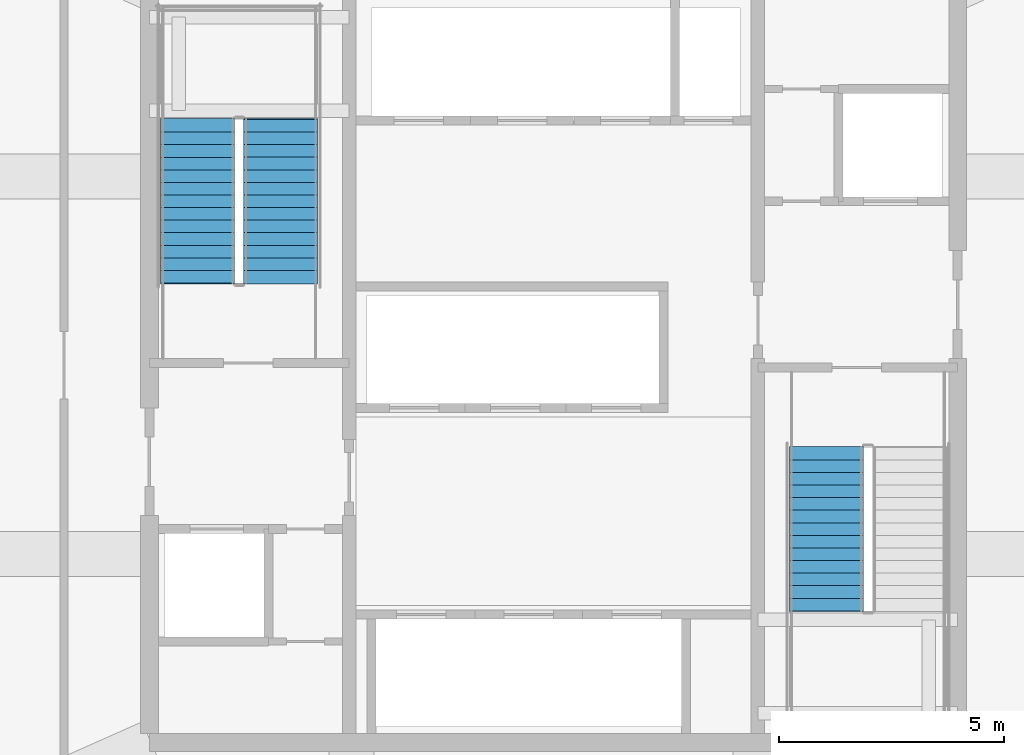
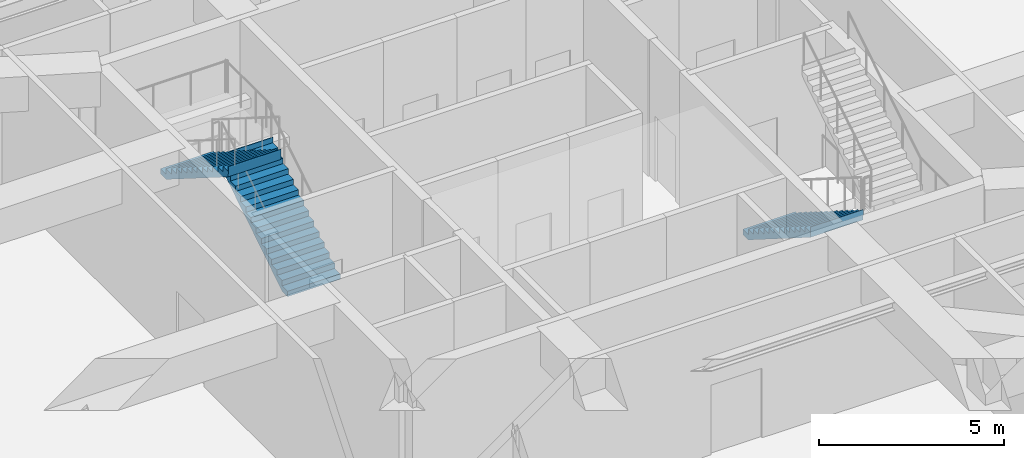
# One storey, part 31 of 35: 3 stair flights, 2 elements without a shape of their own.
"""IFC4 building model written with IfcOpenShell, lengths in metres."""

from ifc_helpers import new_model, si_unit, direction, frame, origin, place, context, subcontext, project, spatial, polygons, material, type_object, element, aggregate, save


model = new_model("IFC4")

# Units and contexts
model_context = context("Model", 3, precision=1e-05, world=origin(), true_north=direction((0.0, 1.0)))
body_context = subcontext(model_context, "Body", "Model", "MODEL_VIEW")
ifc_project = project(units=[si_unit("LENGTHUNIT", "METRE"), si_unit("AREAUNIT", "SQUARE_METRE"), si_unit("VOLUMEUNIT", "CUBIC_METRE"), si_unit("PLANEANGLEUNIT", "RADIAN"), si_unit("MASSUNIT", "GRAM", prefix="KILO")], contexts=[model_context])

# Site, building, storey
site_placement = place(None, origin())
site = spatial("IfcSite", under=ifc_project, at=site_placement, CompositionType="ELEMENT")
building_placement = place(site_placement, origin())
building = spatial("IfcBuilding", under=site, at=building_placement, Name="Serunith Strait Residences", CompositionType="ELEMENT")
storey_placement = place(building_placement, frame((0.0, 0.0, 115.199951171875)))
storey = spatial("IfcBuildingStorey", under=building, at=storey_placement, Name="L28", CompositionType="ELEMENT", Elevation=115.199951171875)

# Stair, stair flights
ifc_material = material(Name="Concrete C50/60", Category="concrete")
stair_type_1 = type_object("IfcStairType", Name="STR-CORE-1", PredefinedType="HALF_TURN_STAIR", material=ifc_material)
stair_1_placement = place(storey_placement, origin())
stair_1 = element("IfcStair", 1, at=stair_1_placement, inside=storey, type_object=stair_type_1, Name="L28 Protected Escape Stair ST-1", PredefinedType="HALF_TURN_STAIR")
stair_flight_type_1 = type_object("IfcStairFlightType", Name="FLT-CORE-1", PredefinedType="STRAIGHT", material=ifc_material)
stair_flight_1_placement = place(storey_placement, frame((26.324951171875, 27.030029296875, 0.0), z_axis=(0.0, 0.0, 1.0), x_axis=(0.0, 1.0, 0.0)))
stair_flight_1 = element("IfcStairFlight", 2, at=stair_flight_1_placement, type_object=stair_flight_type_1, Name="ST-1 flight 1", NumberOfRisers=14, NumberOfTreads=13, PredefinedType="STRAIGHT", RiserHeight=0.176785714, TreadLength=0.28, context=body_context, shape_type="Tessellation", body=[
    polygons([(-0.02001953125, -0.824951171875, 0.0), (-0.02001953125, -0.824951171875, 0.1767578125), (0.280029296875, -0.824951171875, 0.1767578125), (0.280029296875, -0.824951171875, 0.353515625), (0.56005859375, -0.824951171875, 0.353515625), (0.56005859375, -0.824951171875, 0.5302734375), (0.840087890625, -0.824951171875, 0.5302734375), (0.840087890625, -0.824951171875, 0.70703125), (1.1201171875, -0.824951171875, 0.70703125), (1.1201171875, -0.824951171875, 0.884033203125), (1.39990234375, -0.824951171875, 0.884033203125), (1.39990234375, -0.824951171875, 1.060791015625), (1.679931640625, -0.824951171875, 1.060791015625), (1.679931640625, -0.824951171875, 1.237548828125), (1.9599609375, -0.824951171875, 1.237548828125), (1.9599609375, -0.824951171875, 1.414306640625), (2.239990234375, -0.824951171875, 1.414306640625), (2.239990234375, -0.824951171875, 1.591064453125), (2.52001953125, -0.824951171875, 1.591064453125), (2.52001953125, -0.824951171875, 1.767822265625), (2.800048828125, -0.824951171875, 1.767822265625), (2.800048828125, -0.824951171875, 1.944580078125), (3.080078125, -0.824951171875, 1.944580078125), (3.080078125, -0.824951171875, 2.121337890625), (3.360107421875, -0.824951171875, 2.121337890625), (3.360107421875, -0.824951171875, 2.298095703125), (3.639892578125, -0.824951171875, 2.298095703125), (3.639892578125, -0.824951171875, 2.47509765625), (3.659912109375, -0.824951171875, 2.47509765625), (3.659912109375, -0.824951171875, 2.4150390625), (3.639892578125, -0.824951171875, 2.120849609375), (0.28076171875, -0.824951171875, 0.0), (-0.02001953125, -0.41259765625, 0.0), (-0.02001953125, -0.41259765625, 0.1767578125), (0.280029296875, -0.41259765625, 0.1767578125), (0.280029296875, -0.41259765625, 0.353515625), (0.56005859375, -0.41259765625, 0.353515625), (0.56005859375, -0.41259765625, 0.5302734375), (0.840087890625, -0.41259765625, 0.5302734375), (0.840087890625, -0.41259765625, 0.70703125), (1.1201171875, -0.41259765625, 0.70703125), (1.1201171875, -0.41259765625, 0.884033203125), (1.39990234375, -0.41259765625, 0.884033203125), (1.39990234375, -0.41259765625, 1.060791015625), (1.679931640625, -0.41259765625, 1.060791015625), (1.679931640625, -0.41259765625, 1.237548828125), (1.9599609375, -0.41259765625, 1.237548828125), (1.9599609375, -0.41259765625, 1.414306640625), (2.239990234375, -0.41259765625, 1.414306640625), (2.239990234375, -0.41259765625, 1.591064453125), (2.52001953125, -0.41259765625, 1.591064453125), (2.52001953125, -0.41259765625, 1.767822265625), (2.800048828125, -0.41259765625, 1.767822265625), (2.800048828125, -0.41259765625, 1.944580078125), (3.080078125, -0.41259765625, 1.944580078125), (3.080078125, -0.41259765625, 2.121337890625), (3.360107421875, -0.41259765625, 2.121337890625), (3.360107421875, -0.41259765625, 2.298095703125), (3.639892578125, -0.41259765625, 2.298095703125), (3.639892578125, -0.41259765625, 2.47509765625), (3.659912109375, -0.41259765625, 2.47509765625), (3.659912109375, -0.41259765625, 2.4150390625), (3.639892578125, -0.41259765625, 2.120849609375), (0.28076171875, -0.41259765625, 0.0), (-0.02001953125, 0.0, 0.0), (-0.02001953125, 0.0, 0.1767578125), (0.280029296875, 0.0, 0.1767578125), (0.280029296875, 0.0, 0.353515625), (0.56005859375, 0.0, 0.353515625), (0.56005859375, 0.0, 0.5302734375), (0.840087890625, 0.0, 0.5302734375), (0.840087890625, 0.0, 0.70703125), (1.1201171875, 0.0, 0.70703125), (1.1201171875, 0.0, 0.884033203125), (1.39990234375, 0.0, 0.884033203125), (1.39990234375, 0.0, 1.060791015625), (1.679931640625, 0.0, 1.060791015625), (1.679931640625, 0.0, 1.237548828125), (1.9599609375, 0.0, 1.237548828125), (1.9599609375, 0.0, 1.414306640625), (2.239990234375, 0.0, 1.414306640625), (2.239990234375, 0.0, 1.591064453125), (2.52001953125, 0.0, 1.591064453125), (2.52001953125, 0.0, 1.767822265625), (2.800048828125, 0.0, 1.767822265625), (2.800048828125, 0.0, 1.944580078125), (3.080078125, 0.0, 1.944580078125), (3.080078125, 0.0, 2.121337890625), (3.360107421875, 0.0, 2.121337890625), (3.360107421875, 0.0, 2.298095703125), (3.639892578125, 0.0, 2.298095703125), (3.639892578125, 0.0, 2.47509765625), (3.659912109375, 0.0, 2.47509765625), (3.659912109375, 0.0, 2.4150390625), (3.639892578125, 0.0, 2.120849609375), (0.28076171875, 0.0, 0.0), (-0.02001953125, 0.41259765625, 0.0), (-0.02001953125, 0.41259765625, 0.1767578125), (0.280029296875, 0.41259765625, 0.1767578125), (0.280029296875, 0.41259765625, 0.353515625), (0.56005859375, 0.41259765625, 0.353515625), (0.56005859375, 0.41259765625, 0.5302734375), (0.840087890625, 0.41259765625, 0.5302734375), (0.840087890625, 0.41259765625, 0.70703125), (1.1201171875, 0.41259765625, 0.70703125), (1.1201171875, 0.41259765625, 0.884033203125), (1.39990234375, 0.41259765625, 0.884033203125), (1.39990234375, 0.41259765625, 1.060791015625), (1.679931640625, 0.41259765625, 1.060791015625), (1.679931640625, 0.41259765625, 1.237548828125), (1.9599609375, 0.41259765625, 1.237548828125), (1.9599609375, 0.41259765625, 1.414306640625), (2.239990234375, 0.41259765625, 1.414306640625), (2.239990234375, 0.41259765625, 1.591064453125), (2.52001953125, 0.41259765625, 1.591064453125), (2.52001953125, 0.41259765625, 1.767822265625), (2.800048828125, 0.41259765625, 1.767822265625), (2.800048828125, 0.41259765625, 1.944580078125), (3.080078125, 0.41259765625, 1.944580078125), (3.080078125, 0.41259765625, 2.121337890625), (3.360107421875, 0.41259765625, 2.121337890625), (3.360107421875, 0.41259765625, 2.298095703125), (3.639892578125, 0.41259765625, 2.298095703125), (3.639892578125, 0.41259765625, 2.47509765625), (3.659912109375, 0.41259765625, 2.47509765625), (3.659912109375, 0.41259765625, 2.4150390625), (3.639892578125, 0.41259765625, 2.120849609375), (0.28076171875, 0.41259765625, 0.0), (-0.02001953125, 0.824951171875, 0.0), (-0.02001953125, 0.824951171875, 0.1767578125), (0.280029296875, 0.824951171875, 0.1767578125), (0.280029296875, 0.824951171875, 0.353515625), (0.56005859375, 0.824951171875, 0.353515625), (0.56005859375, 0.824951171875, 0.5302734375), (0.840087890625, 0.824951171875, 0.5302734375), (0.840087890625, 0.824951171875, 0.70703125), (1.1201171875, 0.824951171875, 0.70703125), (1.1201171875, 0.824951171875, 0.884033203125), (1.39990234375, 0.824951171875, 0.884033203125), (1.39990234375, 0.824951171875, 1.060791015625), (1.679931640625, 0.824951171875, 1.060791015625), (1.679931640625, 0.824951171875, 1.237548828125), (1.9599609375, 0.824951171875, 1.237548828125), (1.9599609375, 0.824951171875, 1.414306640625), (2.239990234375, 0.824951171875, 1.414306640625), (2.239990234375, 0.824951171875, 1.591064453125), (2.52001953125, 0.824951171875, 1.591064453125), (2.52001953125, 0.824951171875, 1.767822265625), (2.800048828125, 0.824951171875, 1.767822265625), (2.800048828125, 0.824951171875, 1.944580078125), (3.080078125, 0.824951171875, 1.944580078125), (3.080078125, 0.824951171875, 2.121337890625), (3.360107421875, 0.824951171875, 2.121337890625), (3.360107421875, 0.824951171875, 2.298095703125), (3.639892578125, 0.824951171875, 2.298095703125), (3.639892578125, 0.824951171875, 2.47509765625), (3.659912109375, 0.824951171875, 2.47509765625), (3.659912109375, 0.824951171875, 2.4150390625), (3.639892578125, 0.824951171875, 2.120849609375), (0.28076171875, 0.824951171875, 0.0)], [[[1, 2, 34, 33]], [[2, 3, 35, 34]], [[3, 4, 36, 35]], [[4, 5, 37, 36]], [[5, 6, 38, 37]], [[6, 7, 39, 38]], [[7, 8, 40, 39]], [[8, 9, 41, 40]], [[9, 10, 42, 41]], [[10, 11, 43, 42]], [[11, 12, 44, 43]], [[12, 13, 45, 44]], [[13, 14, 46, 45]], [[14, 15, 47, 46]], [[15, 16, 48, 47]], [[16, 17, 49, 48]], [[17, 18, 50, 49]], [[18, 19, 51, 50]], [[19, 20, 52, 51]], [[20, 21, 53, 52]], [[21, 22, 54, 53]], [[22, 23, 55, 54]], [[23, 24, 56, 55]], [[24, 25, 57, 56]], [[25, 26, 58, 57]], [[26, 27, 59, 58]], [[27, 28, 60, 59]], [[28, 29, 61, 60]], [[29, 30, 62, 61]], [[30, 31, 63, 62]], [[31, 32, 64, 63]], [[32, 1, 33, 64]], [[33, 34, 66, 65]], [[34, 35, 67, 66]], [[35, 36, 68, 67]], [[36, 37, 69, 68]], [[37, 38, 70, 69]], [[38, 39, 71, 70]], [[39, 40, 72, 71]], [[40, 41, 73, 72]], [[41, 42, 74, 73]], [[42, 43, 75, 74]], [[43, 44, 76, 75]], [[44, 45, 77, 76]], [[45, 46, 78, 77]], [[46, 47, 79, 78]], [[47, 48, 80, 79]], [[48, 49, 81, 80]], [[49, 50, 82, 81]], [[50, 51, 83, 82]], [[51, 52, 84, 83]], [[52, 53, 85, 84]], [[53, 54, 86, 85]], [[54, 55, 87, 86]], [[55, 56, 88, 87]], [[56, 57, 89, 88]], [[57, 58, 90, 89]], [[58, 59, 91, 90]], [[59, 60, 92, 91]], [[60, 61, 93, 92]], [[61, 62, 94, 93]], [[62, 63, 95, 94]], [[63, 64, 96, 95]], [[64, 33, 65, 96]], [[65, 66, 98, 97]], [[66, 67, 99, 98]], [[67, 68, 100, 99]], [[68, 69, 101, 100]], [[69, 70, 102, 101]], [[70, 71, 103, 102]], [[71, 72, 104, 103]], [[72, 73, 105, 104]], [[73, 74, 106, 105]], [[74, 75, 107, 106]], [[75, 76, 108, 107]], [[76, 77, 109, 108]], [[77, 78, 110, 109]], [[78, 79, 111, 110]], [[79, 80, 112, 111]], [[80, 81, 113, 112]], [[81, 82, 114, 113]], [[82, 83, 115, 114]], [[83, 84, 116, 115]], [[84, 85, 117, 116]], [[85, 86, 118, 117]], [[86, 87, 119, 118]], [[87, 88, 120, 119]], [[88, 89, 121, 120]], [[89, 90, 122, 121]], [[90, 91, 123, 122]], [[91, 92, 124, 123]], [[92, 93, 125, 124]], [[93, 94, 126, 125]], [[94, 95, 127, 126]], [[95, 96, 128, 127]], [[96, 65, 97, 128]], [[97, 98, 130, 129]], [[98, 99, 131, 130]], [[99, 100, 132, 131]], [[100, 101, 133, 132]], [[101, 102, 134, 133]], [[102, 103, 135, 134]], [[103, 104, 136, 135]], [[104, 105, 137, 136]], [[105, 106, 138, 137]], [[106, 107, 139, 138]], [[107, 108, 140, 139]], [[108, 109, 141, 140]], [[109, 110, 142, 141]], [[110, 111, 143, 142]], [[111, 112, 144, 143]], [[112, 113, 145, 144]], [[113, 114, 146, 145]], [[114, 115, 147, 146]], [[115, 116, 148, 147]], [[116, 117, 149, 148]], [[117, 118, 150, 149]], [[118, 119, 151, 150]], [[119, 120, 152, 151]], [[120, 121, 153, 152]], [[121, 122, 154, 153]], [[122, 123, 155, 154]], [[123, 124, 156, 155]], [[124, 125, 157, 156]], [[125, 126, 158, 157]], [[126, 127, 159, 158]], [[127, 128, 160, 159]], [[128, 97, 129, 160]], [[32, 31, 30, 29, 28, 27, 26, 25, 24, 23, 22, 21, 20, 19, 18, 17, 16, 15, 14, 13, 12, 11, 10, 9, 8, 7, 6, 5, 4, 3, 2, 1]], [[129, 130, 131, 132, 133, 134, 135, 136, 137, 138, 139, 140, 141, 142, 143, 144, 145, 146, 147, 148, 149, 150, 151, 152, 153, 154, 155, 156, 157, 158, 159, 160]]], closed=True),
])
stair_flight_2_placement = place(storey_placement, frame((24.47509765625, 30.669921875, 2.47509765625), z_axis=(0.0, 0.0, 1.0), x_axis=(0.0, -1.0, 0.0)))
stair_flight_2 = element("IfcStairFlight", 3, at=stair_flight_2_placement, type_object=stair_flight_type_1, Name="ST-1 flight 2", NumberOfRisers=14, NumberOfTreads=13, PredefinedType="STRAIGHT", RiserHeight=0.176785714, TreadLength=0.28, context=body_context, shape_type="Tessellation", body=[
    polygons([(-0.02001953125, -0.824951171875, 0.0), (-0.02001953125, -0.824951171875, 0.1767578125), (0.280029296875, -0.824951171875, 0.1767578125), (0.280029296875, -0.824951171875, 0.353515625), (0.56005859375, -0.824951171875, 0.353515625), (0.56005859375, -0.824951171875, 0.5302734375), (0.840087890625, -0.824951171875, 0.5302734375), (0.840087890625, -0.824951171875, 0.70703125), (1.1201171875, -0.824951171875, 0.70703125), (1.1201171875, -0.824951171875, 0.884033203125), (1.39990234375, -0.824951171875, 0.884033203125), (1.39990234375, -0.824951171875, 1.060791015625), (1.679931640625, -0.824951171875, 1.060791015625), (1.679931640625, -0.824951171875, 1.237548828125), (1.9599609375, -0.824951171875, 1.237548828125), (1.9599609375, -0.824951171875, 1.414306640625), (2.239990234375, -0.824951171875, 1.414306640625), (2.239990234375, -0.824951171875, 1.591064453125), (2.52001953125, -0.824951171875, 1.591064453125), (2.52001953125, -0.824951171875, 1.767822265625), (2.800048828125, -0.824951171875, 1.767822265625), (2.800048828125, -0.824951171875, 1.944580078125), (3.080078125, -0.824951171875, 1.944580078125), (3.080078125, -0.824951171875, 2.121337890625), (3.360107421875, -0.824951171875, 2.121337890625), (3.360107421875, -0.824951171875, 2.298095703125), (3.639892578125, -0.824951171875, 2.298095703125), (3.639892578125, -0.824951171875, 2.47509765625), (3.659912109375, -0.824951171875, 2.47509765625), (3.659912109375, -0.824951171875, 2.4150390625), (3.639892578125, -0.824951171875, 2.120849609375), (0.28076171875, -0.824951171875, 0.0), (-0.02001953125, -0.41259765625, 0.0), (-0.02001953125, -0.41259765625, 0.1767578125), (0.280029296875, -0.41259765625, 0.1767578125), (0.280029296875, -0.41259765625, 0.353515625), (0.56005859375, -0.41259765625, 0.353515625), (0.56005859375, -0.41259765625, 0.5302734375), (0.840087890625, -0.41259765625, 0.5302734375), (0.840087890625, -0.41259765625, 0.70703125), (1.1201171875, -0.41259765625, 0.70703125), (1.1201171875, -0.41259765625, 0.884033203125), (1.39990234375, -0.41259765625, 0.884033203125), (1.39990234375, -0.41259765625, 1.060791015625), (1.679931640625, -0.41259765625, 1.060791015625), (1.679931640625, -0.41259765625, 1.237548828125), (1.9599609375, -0.41259765625, 1.237548828125), (1.9599609375, -0.41259765625, 1.414306640625), (2.239990234375, -0.41259765625, 1.414306640625), (2.239990234375, -0.41259765625, 1.591064453125), (2.52001953125, -0.41259765625, 1.591064453125), (2.52001953125, -0.41259765625, 1.767822265625), (2.800048828125, -0.41259765625, 1.767822265625), (2.800048828125, -0.41259765625, 1.944580078125), (3.080078125, -0.41259765625, 1.944580078125), (3.080078125, -0.41259765625, 2.121337890625), (3.360107421875, -0.41259765625, 2.121337890625), (3.360107421875, -0.41259765625, 2.298095703125), (3.639892578125, -0.41259765625, 2.298095703125), (3.639892578125, -0.41259765625, 2.47509765625), (3.659912109375, -0.41259765625, 2.47509765625), (3.659912109375, -0.41259765625, 2.4150390625), (3.639892578125, -0.41259765625, 2.120849609375), (0.28076171875, -0.41259765625, 0.0), (-0.02001953125, 0.0, 0.0), (-0.02001953125, 0.0, 0.1767578125), (0.280029296875, 0.0, 0.1767578125), (0.280029296875, 0.0, 0.353515625), (0.56005859375, 0.0, 0.353515625), (0.56005859375, 0.0, 0.5302734375), (0.840087890625, 0.0, 0.5302734375), (0.840087890625, 0.0, 0.70703125), (1.1201171875, 0.0, 0.70703125), (1.1201171875, 0.0, 0.884033203125), (1.39990234375, 0.0, 0.884033203125), (1.39990234375, 0.0, 1.060791015625), (1.679931640625, 0.0, 1.060791015625), (1.679931640625, 0.0, 1.237548828125), (1.9599609375, 0.0, 1.237548828125), (1.9599609375, 0.0, 1.414306640625), (2.239990234375, 0.0, 1.414306640625), (2.239990234375, 0.0, 1.591064453125), (2.52001953125, 0.0, 1.591064453125), (2.52001953125, 0.0, 1.767822265625), (2.800048828125, 0.0, 1.767822265625), (2.800048828125, 0.0, 1.944580078125), (3.080078125, 0.0, 1.944580078125), (3.080078125, 0.0, 2.121337890625), (3.360107421875, 0.0, 2.121337890625), (3.360107421875, 0.0, 2.298095703125), (3.639892578125, 0.0, 2.298095703125), (3.639892578125, 0.0, 2.47509765625), (3.659912109375, 0.0, 2.47509765625), (3.659912109375, 0.0, 2.4150390625), (3.639892578125, 0.0, 2.120849609375), (0.28076171875, 0.0, 0.0), (-0.02001953125, 0.41259765625, 0.0), (-0.02001953125, 0.41259765625, 0.1767578125), (0.280029296875, 0.41259765625, 0.1767578125), (0.280029296875, 0.41259765625, 0.353515625), (0.56005859375, 0.41259765625, 0.353515625), (0.56005859375, 0.41259765625, 0.5302734375), (0.840087890625, 0.41259765625, 0.5302734375), (0.840087890625, 0.41259765625, 0.70703125), (1.1201171875, 0.41259765625, 0.70703125), (1.1201171875, 0.41259765625, 0.884033203125), (1.39990234375, 0.41259765625, 0.884033203125), (1.39990234375, 0.41259765625, 1.060791015625), (1.679931640625, 0.41259765625, 1.060791015625), (1.679931640625, 0.41259765625, 1.237548828125), (1.9599609375, 0.41259765625, 1.237548828125), (1.9599609375, 0.41259765625, 1.414306640625), (2.239990234375, 0.41259765625, 1.414306640625), (2.239990234375, 0.41259765625, 1.591064453125), (2.52001953125, 0.41259765625, 1.591064453125), (2.52001953125, 0.41259765625, 1.767822265625), (2.800048828125, 0.41259765625, 1.767822265625), (2.800048828125, 0.41259765625, 1.944580078125), (3.080078125, 0.41259765625, 1.944580078125), (3.080078125, 0.41259765625, 2.121337890625), (3.360107421875, 0.41259765625, 2.121337890625), (3.360107421875, 0.41259765625, 2.298095703125), (3.639892578125, 0.41259765625, 2.298095703125), (3.639892578125, 0.41259765625, 2.47509765625), (3.659912109375, 0.41259765625, 2.47509765625), (3.659912109375, 0.41259765625, 2.4150390625), (3.639892578125, 0.41259765625, 2.120849609375), (0.28076171875, 0.41259765625, 0.0), (-0.02001953125, 0.824951171875, 0.0), (-0.02001953125, 0.824951171875, 0.1767578125), (0.280029296875, 0.824951171875, 0.1767578125), (0.280029296875, 0.824951171875, 0.353515625), (0.56005859375, 0.824951171875, 0.353515625), (0.56005859375, 0.824951171875, 0.5302734375), (0.840087890625, 0.824951171875, 0.5302734375), (0.840087890625, 0.824951171875, 0.70703125), (1.1201171875, 0.824951171875, 0.70703125), (1.1201171875, 0.824951171875, 0.884033203125), (1.39990234375, 0.824951171875, 0.884033203125), (1.39990234375, 0.824951171875, 1.060791015625), (1.679931640625, 0.824951171875, 1.060791015625), (1.679931640625, 0.824951171875, 1.237548828125), (1.9599609375, 0.824951171875, 1.237548828125), (1.9599609375, 0.824951171875, 1.414306640625), (2.239990234375, 0.824951171875, 1.414306640625), (2.239990234375, 0.824951171875, 1.591064453125), (2.52001953125, 0.824951171875, 1.591064453125), (2.52001953125, 0.824951171875, 1.767822265625), (2.800048828125, 0.824951171875, 1.767822265625), (2.800048828125, 0.824951171875, 1.944580078125), (3.080078125, 0.824951171875, 1.944580078125), (3.080078125, 0.824951171875, 2.121337890625), (3.360107421875, 0.824951171875, 2.121337890625), (3.360107421875, 0.824951171875, 2.298095703125), (3.639892578125, 0.824951171875, 2.298095703125), (3.639892578125, 0.824951171875, 2.47509765625), (3.659912109375, 0.824951171875, 2.47509765625), (3.659912109375, 0.824951171875, 2.4150390625), (3.639892578125, 0.824951171875, 2.120849609375), (0.28076171875, 0.824951171875, 0.0)], [[[1, 2, 34, 33]], [[2, 3, 35, 34]], [[3, 4, 36, 35]], [[4, 5, 37, 36]], [[5, 6, 38, 37]], [[6, 7, 39, 38]], [[7, 8, 40, 39]], [[8, 9, 41, 40]], [[9, 10, 42, 41]], [[10, 11, 43, 42]], [[11, 12, 44, 43]], [[12, 13, 45, 44]], [[13, 14, 46, 45]], [[14, 15, 47, 46]], [[15, 16, 48, 47]], [[16, 17, 49, 48]], [[17, 18, 50, 49]], [[18, 19, 51, 50]], [[19, 20, 52, 51]], [[20, 21, 53, 52]], [[21, 22, 54, 53]], [[22, 23, 55, 54]], [[23, 24, 56, 55]], [[24, 25, 57, 56]], [[25, 26, 58, 57]], [[26, 27, 59, 58]], [[27, 28, 60, 59]], [[28, 29, 61, 60]], [[29, 30, 62, 61]], [[30, 31, 63, 62]], [[31, 32, 64, 63]], [[32, 1, 33, 64]], [[33, 34, 66, 65]], [[34, 35, 67, 66]], [[35, 36, 68, 67]], [[36, 37, 69, 68]], [[37, 38, 70, 69]], [[38, 39, 71, 70]], [[39, 40, 72, 71]], [[40, 41, 73, 72]], [[41, 42, 74, 73]], [[42, 43, 75, 74]], [[43, 44, 76, 75]], [[44, 45, 77, 76]], [[45, 46, 78, 77]], [[46, 47, 79, 78]], [[47, 48, 80, 79]], [[48, 49, 81, 80]], [[49, 50, 82, 81]], [[50, 51, 83, 82]], [[51, 52, 84, 83]], [[52, 53, 85, 84]], [[53, 54, 86, 85]], [[54, 55, 87, 86]], [[55, 56, 88, 87]], [[56, 57, 89, 88]], [[57, 58, 90, 89]], [[58, 59, 91, 90]], [[59, 60, 92, 91]], [[60, 61, 93, 92]], [[61, 62, 94, 93]], [[62, 63, 95, 94]], [[63, 64, 96, 95]], [[64, 33, 65, 96]], [[65, 66, 98, 97]], [[66, 67, 99, 98]], [[67, 68, 100, 99]], [[68, 69, 101, 100]], [[69, 70, 102, 101]], [[70, 71, 103, 102]], [[71, 72, 104, 103]], [[72, 73, 105, 104]], [[73, 74, 106, 105]], [[74, 75, 107, 106]], [[75, 76, 108, 107]], [[76, 77, 109, 108]], [[77, 78, 110, 109]], [[78, 79, 111, 110]], [[79, 80, 112, 111]], [[80, 81, 113, 112]], [[81, 82, 114, 113]], [[82, 83, 115, 114]], [[83, 84, 116, 115]], [[84, 85, 117, 116]], [[85, 86, 118, 117]], [[86, 87, 119, 118]], [[87, 88, 120, 119]], [[88, 89, 121, 120]], [[89, 90, 122, 121]], [[90, 91, 123, 122]], [[91, 92, 124, 123]], [[92, 93, 125, 124]], [[93, 94, 126, 125]], [[94, 95, 127, 126]], [[95, 96, 128, 127]], [[96, 65, 97, 128]], [[97, 98, 130, 129]], [[98, 99, 131, 130]], [[99, 100, 132, 131]], [[100, 101, 133, 132]], [[101, 102, 134, 133]], [[102, 103, 135, 134]], [[103, 104, 136, 135]], [[104, 105, 137, 136]], [[105, 106, 138, 137]], [[106, 107, 139, 138]], [[107, 108, 140, 139]], [[108, 109, 141, 140]], [[109, 110, 142, 141]], [[110, 111, 143, 142]], [[111, 112, 144, 143]], [[112, 113, 145, 144]], [[113, 114, 146, 145]], [[114, 115, 147, 146]], [[115, 116, 148, 147]], [[116, 117, 149, 148]], [[117, 118, 150, 149]], [[118, 119, 151, 150]], [[119, 120, 152, 151]], [[120, 121, 153, 152]], [[121, 122, 154, 153]], [[122, 123, 155, 154]], [[123, 124, 156, 155]], [[124, 125, 157, 156]], [[125, 126, 158, 157]], [[126, 127, 159, 158]], [[127, 128, 160, 159]], [[128, 97, 129, 160]], [[32, 31, 30, 29, 28, 27, 26, 25, 24, 23, 22, 21, 20, 19, 18, 17, 16, 15, 14, 13, 12, 11, 10, 9, 8, 7, 6, 5, 4, 3, 2, 1]], [[129, 130, 131, 132, 133, 134, 135, 136, 137, 138, 139, 140, 141, 142, 143, 144, 145, 146, 147, 148, 149, 150, 151, 152, 153, 154, 155, 156, 157, 158, 159, 160]]], closed=True),
])
aggregate(stair_1, [stair_flight_1, stair_flight_2])

# Stair, stair flight
stair_type_2 = type_object("IfcStairType", Name="STR-CORE-2", PredefinedType="HALF_TURN_STAIR", material=ifc_material)
stair_2_placement = place(storey_placement, origin())
stair_2 = element("IfcStair", 4, at=stair_2_placement, inside=storey, type_object=stair_type_2, Name="L28 Protected Escape Stair ST-2", PredefinedType="HALF_TURN_STAIR")
stair_flight_type_2 = type_object("IfcStairFlightType", Name="FLT-CORE-2", PredefinedType="STRAIGHT", material=ifc_material)
stair_flight_3_placement = place(storey_placement, frame((38.47509765625, 23.3701171875, 0.0), z_axis=(0.0, 0.0, 1.0), x_axis=(0.0, -1.0, 0.0)))
stair_flight_3 = element("IfcStairFlight", 5, at=stair_flight_3_placement, type_object=stair_flight_type_2, Name="ST-2 flight 1", NumberOfRisers=14, NumberOfTreads=13, PredefinedType="STRAIGHT", RiserHeight=0.176785714, TreadLength=0.28, context=body_context, shape_type="Tessellation", body=[
    polygons([(-0.02001953125, -0.824951171875, 0.0), (-0.02001953125, -0.824951171875, 0.1767578125), (0.280029296875, -0.824951171875, 0.1767578125), (0.280029296875, -0.824951171875, 0.353515625), (0.56005859375, -0.824951171875, 0.353515625), (0.56005859375, -0.824951171875, 0.5302734375), (0.840087890625, -0.824951171875, 0.5302734375), (0.840087890625, -0.824951171875, 0.70703125), (1.1201171875, -0.824951171875, 0.70703125), (1.1201171875, -0.824951171875, 0.884033203125), (1.39990234375, -0.824951171875, 0.884033203125), (1.39990234375, -0.824951171875, 1.060791015625), (1.679931640625, -0.824951171875, 1.060791015625), (1.679931640625, -0.824951171875, 1.237548828125), (1.9599609375, -0.824951171875, 1.237548828125), (1.9599609375, -0.824951171875, 1.414306640625), (2.239990234375, -0.824951171875, 1.414306640625), (2.239990234375, -0.824951171875, 1.591064453125), (2.52001953125, -0.824951171875, 1.591064453125), (2.52001953125, -0.824951171875, 1.767822265625), (2.800048828125, -0.824951171875, 1.767822265625), (2.800048828125, -0.824951171875, 1.944580078125), (3.080078125, -0.824951171875, 1.944580078125), (3.080078125, -0.824951171875, 2.121337890625), (3.360107421875, -0.824951171875, 2.121337890625), (3.360107421875, -0.824951171875, 2.298095703125), (3.639892578125, -0.824951171875, 2.298095703125), (3.639892578125, -0.824951171875, 2.47509765625), (3.659912109375, -0.824951171875, 2.47509765625), (3.659912109375, -0.824951171875, 2.4150390625), (3.639892578125, -0.824951171875, 2.120849609375), (0.28076171875, -0.824951171875, 0.0), (-0.02001953125, -0.41259765625, 0.0), (-0.02001953125, -0.41259765625, 0.1767578125), (0.280029296875, -0.41259765625, 0.1767578125), (0.280029296875, -0.41259765625, 0.353515625), (0.56005859375, -0.41259765625, 0.353515625), (0.56005859375, -0.41259765625, 0.5302734375), (0.840087890625, -0.41259765625, 0.5302734375), (0.840087890625, -0.41259765625, 0.70703125), (1.1201171875, -0.41259765625, 0.70703125), (1.1201171875, -0.41259765625, 0.884033203125), (1.39990234375, -0.41259765625, 0.884033203125), (1.39990234375, -0.41259765625, 1.060791015625), (1.679931640625, -0.41259765625, 1.060791015625), (1.679931640625, -0.41259765625, 1.237548828125), (1.9599609375, -0.41259765625, 1.237548828125), (1.9599609375, -0.41259765625, 1.414306640625), (2.239990234375, -0.41259765625, 1.414306640625), (2.239990234375, -0.41259765625, 1.591064453125), (2.52001953125, -0.41259765625, 1.591064453125), (2.52001953125, -0.41259765625, 1.767822265625), (2.800048828125, -0.41259765625, 1.767822265625), (2.800048828125, -0.41259765625, 1.944580078125), (3.080078125, -0.41259765625, 1.944580078125), (3.080078125, -0.41259765625, 2.121337890625), (3.360107421875, -0.41259765625, 2.121337890625), (3.360107421875, -0.41259765625, 2.298095703125), (3.639892578125, -0.41259765625, 2.298095703125), (3.639892578125, -0.41259765625, 2.47509765625), (3.659912109375, -0.41259765625, 2.47509765625), (3.659912109375, -0.41259765625, 2.4150390625), (3.639892578125, -0.41259765625, 2.120849609375), (0.28076171875, -0.41259765625, 0.0), (-0.02001953125, 0.0, 0.0), (-0.02001953125, 0.0, 0.1767578125), (0.280029296875, 0.0, 0.1767578125), (0.280029296875, 0.0, 0.353515625), (0.56005859375, 0.0, 0.353515625), (0.56005859375, 0.0, 0.5302734375), (0.840087890625, 0.0, 0.5302734375), (0.840087890625, 0.0, 0.70703125), (1.1201171875, 0.0, 0.70703125), (1.1201171875, 0.0, 0.884033203125), (1.39990234375, 0.0, 0.884033203125), (1.39990234375, 0.0, 1.060791015625), (1.679931640625, 0.0, 1.060791015625), (1.679931640625, 0.0, 1.237548828125), (1.9599609375, 0.0, 1.237548828125), (1.9599609375, 0.0, 1.414306640625), (2.239990234375, 0.0, 1.414306640625), (2.239990234375, 0.0, 1.591064453125), (2.52001953125, 0.0, 1.591064453125), (2.52001953125, 0.0, 1.767822265625), (2.800048828125, 0.0, 1.767822265625), (2.800048828125, 0.0, 1.944580078125), (3.080078125, 0.0, 1.944580078125), (3.080078125, 0.0, 2.121337890625), (3.360107421875, 0.0, 2.121337890625), (3.360107421875, 0.0, 2.298095703125), (3.639892578125, 0.0, 2.298095703125), (3.639892578125, 0.0, 2.47509765625), (3.659912109375, 0.0, 2.47509765625), (3.659912109375, 0.0, 2.4150390625), (3.639892578125, 0.0, 2.120849609375), (0.28076171875, 0.0, 0.0), (-0.02001953125, 0.41259765625, 0.0), (-0.02001953125, 0.41259765625, 0.1767578125), (0.280029296875, 0.41259765625, 0.1767578125), (0.280029296875, 0.41259765625, 0.353515625), (0.56005859375, 0.41259765625, 0.353515625), (0.56005859375, 0.41259765625, 0.5302734375), (0.840087890625, 0.41259765625, 0.5302734375), (0.840087890625, 0.41259765625, 0.70703125), (1.1201171875, 0.41259765625, 0.70703125), (1.1201171875, 0.41259765625, 0.884033203125), (1.39990234375, 0.41259765625, 0.884033203125), (1.39990234375, 0.41259765625, 1.060791015625), (1.679931640625, 0.41259765625, 1.060791015625), (1.679931640625, 0.41259765625, 1.237548828125), (1.9599609375, 0.41259765625, 1.237548828125), (1.9599609375, 0.41259765625, 1.414306640625), (2.239990234375, 0.41259765625, 1.414306640625), (2.239990234375, 0.41259765625, 1.591064453125), (2.52001953125, 0.41259765625, 1.591064453125), (2.52001953125, 0.41259765625, 1.767822265625), (2.800048828125, 0.41259765625, 1.767822265625), (2.800048828125, 0.41259765625, 1.944580078125), (3.080078125, 0.41259765625, 1.944580078125), (3.080078125, 0.41259765625, 2.121337890625), (3.360107421875, 0.41259765625, 2.121337890625), (3.360107421875, 0.41259765625, 2.298095703125), (3.639892578125, 0.41259765625, 2.298095703125), (3.639892578125, 0.41259765625, 2.47509765625), (3.659912109375, 0.41259765625, 2.47509765625), (3.659912109375, 0.41259765625, 2.4150390625), (3.639892578125, 0.41259765625, 2.120849609375), (0.28076171875, 0.41259765625, 0.0), (-0.02001953125, 0.824951171875, 0.0), (-0.02001953125, 0.824951171875, 0.1767578125), (0.280029296875, 0.824951171875, 0.1767578125), (0.280029296875, 0.824951171875, 0.353515625), (0.56005859375, 0.824951171875, 0.353515625), (0.56005859375, 0.824951171875, 0.5302734375), (0.840087890625, 0.824951171875, 0.5302734375), (0.840087890625, 0.824951171875, 0.70703125), (1.1201171875, 0.824951171875, 0.70703125), (1.1201171875, 0.824951171875, 0.884033203125), (1.39990234375, 0.824951171875, 0.884033203125), (1.39990234375, 0.824951171875, 1.060791015625), (1.679931640625, 0.824951171875, 1.060791015625), (1.679931640625, 0.824951171875, 1.237548828125), (1.9599609375, 0.824951171875, 1.237548828125), (1.9599609375, 0.824951171875, 1.414306640625), (2.239990234375, 0.824951171875, 1.414306640625), (2.239990234375, 0.824951171875, 1.591064453125), (2.52001953125, 0.824951171875, 1.591064453125), (2.52001953125, 0.824951171875, 1.767822265625), (2.800048828125, 0.824951171875, 1.767822265625), (2.800048828125, 0.824951171875, 1.944580078125), (3.080078125, 0.824951171875, 1.944580078125), (3.080078125, 0.824951171875, 2.121337890625), (3.360107421875, 0.824951171875, 2.121337890625), (3.360107421875, 0.824951171875, 2.298095703125), (3.639892578125, 0.824951171875, 2.298095703125), (3.639892578125, 0.824951171875, 2.47509765625), (3.659912109375, 0.824951171875, 2.47509765625), (3.659912109375, 0.824951171875, 2.4150390625), (3.639892578125, 0.824951171875, 2.120849609375), (0.28076171875, 0.824951171875, 0.0)], [[[1, 2, 34, 33]], [[2, 3, 35, 34]], [[3, 4, 36, 35]], [[4, 5, 37, 36]], [[5, 6, 38, 37]], [[6, 7, 39, 38]], [[7, 8, 40, 39]], [[8, 9, 41, 40]], [[9, 10, 42, 41]], [[10, 11, 43, 42]], [[11, 12, 44, 43]], [[12, 13, 45, 44]], [[13, 14, 46, 45]], [[14, 15, 47, 46]], [[15, 16, 48, 47]], [[16, 17, 49, 48]], [[17, 18, 50, 49]], [[18, 19, 51, 50]], [[19, 20, 52, 51]], [[20, 21, 53, 52]], [[21, 22, 54, 53]], [[22, 23, 55, 54]], [[23, 24, 56, 55]], [[24, 25, 57, 56]], [[25, 26, 58, 57]], [[26, 27, 59, 58]], [[27, 28, 60, 59]], [[28, 29, 61, 60]], [[29, 30, 62, 61]], [[30, 31, 63, 62]], [[31, 32, 64, 63]], [[32, 1, 33, 64]], [[33, 34, 66, 65]], [[34, 35, 67, 66]], [[35, 36, 68, 67]], [[36, 37, 69, 68]], [[37, 38, 70, 69]], [[38, 39, 71, 70]], [[39, 40, 72, 71]], [[40, 41, 73, 72]], [[41, 42, 74, 73]], [[42, 43, 75, 74]], [[43, 44, 76, 75]], [[44, 45, 77, 76]], [[45, 46, 78, 77]], [[46, 47, 79, 78]], [[47, 48, 80, 79]], [[48, 49, 81, 80]], [[49, 50, 82, 81]], [[50, 51, 83, 82]], [[51, 52, 84, 83]], [[52, 53, 85, 84]], [[53, 54, 86, 85]], [[54, 55, 87, 86]], [[55, 56, 88, 87]], [[56, 57, 89, 88]], [[57, 58, 90, 89]], [[58, 59, 91, 90]], [[59, 60, 92, 91]], [[60, 61, 93, 92]], [[61, 62, 94, 93]], [[62, 63, 95, 94]], [[63, 64, 96, 95]], [[64, 33, 65, 96]], [[65, 66, 98, 97]], [[66, 67, 99, 98]], [[67, 68, 100, 99]], [[68, 69, 101, 100]], [[69, 70, 102, 101]], [[70, 71, 103, 102]], [[71, 72, 104, 103]], [[72, 73, 105, 104]], [[73, 74, 106, 105]], [[74, 75, 107, 106]], [[75, 76, 108, 107]], [[76, 77, 109, 108]], [[77, 78, 110, 109]], [[78, 79, 111, 110]], [[79, 80, 112, 111]], [[80, 81, 113, 112]], [[81, 82, 114, 113]], [[82, 83, 115, 114]], [[83, 84, 116, 115]], [[84, 85, 117, 116]], [[85, 86, 118, 117]], [[86, 87, 119, 118]], [[87, 88, 120, 119]], [[88, 89, 121, 120]], [[89, 90, 122, 121]], [[90, 91, 123, 122]], [[91, 92, 124, 123]], [[92, 93, 125, 124]], [[93, 94, 126, 125]], [[94, 95, 127, 126]], [[95, 96, 128, 127]], [[96, 65, 97, 128]], [[97, 98, 130, 129]], [[98, 99, 131, 130]], [[99, 100, 132, 131]], [[100, 101, 133, 132]], [[101, 102, 134, 133]], [[102, 103, 135, 134]], [[103, 104, 136, 135]], [[104, 105, 137, 136]], [[105, 106, 138, 137]], [[106, 107, 139, 138]], [[107, 108, 140, 139]], [[108, 109, 141, 140]], [[109, 110, 142, 141]], [[110, 111, 143, 142]], [[111, 112, 144, 143]], [[112, 113, 145, 144]], [[113, 114, 146, 145]], [[114, 115, 147, 146]], [[115, 116, 148, 147]], [[116, 117, 149, 148]], [[117, 118, 150, 149]], [[118, 119, 151, 150]], [[119, 120, 152, 151]], [[120, 121, 153, 152]], [[121, 122, 154, 153]], [[122, 123, 155, 154]], [[123, 124, 156, 155]], [[124, 125, 157, 156]], [[125, 126, 158, 157]], [[126, 127, 159, 158]], [[127, 128, 160, 159]], [[128, 97, 129, 160]], [[32, 31, 30, 29, 28, 27, 26, 25, 24, 23, 22, 21, 20, 19, 18, 17, 16, 15, 14, 13, 12, 11, 10, 9, 8, 7, 6, 5, 4, 3, 2, 1]], [[129, 130, 131, 132, 133, 134, 135, 136, 137, 138, 139, 140, 141, 142, 143, 144, 145, 146, 147, 148, 149, 150, 151, 152, 153, 154, 155, 156, 157, 158, 159, 160]]], closed=True),
])
aggregate(stair_2, [stair_flight_3])

save(model, "model.ifc")
